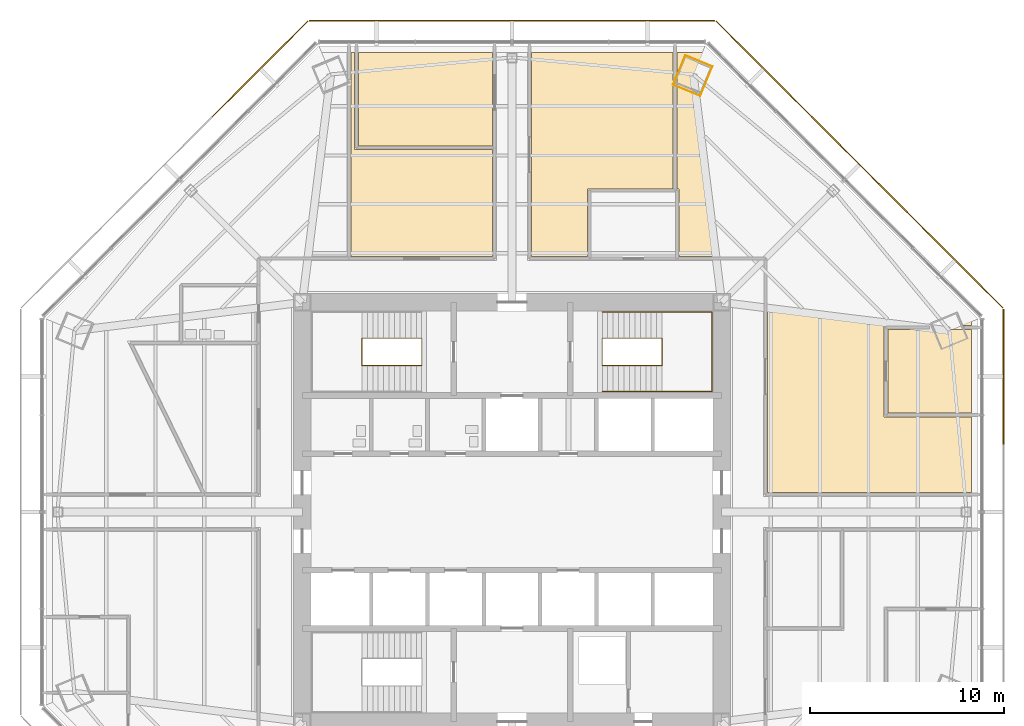
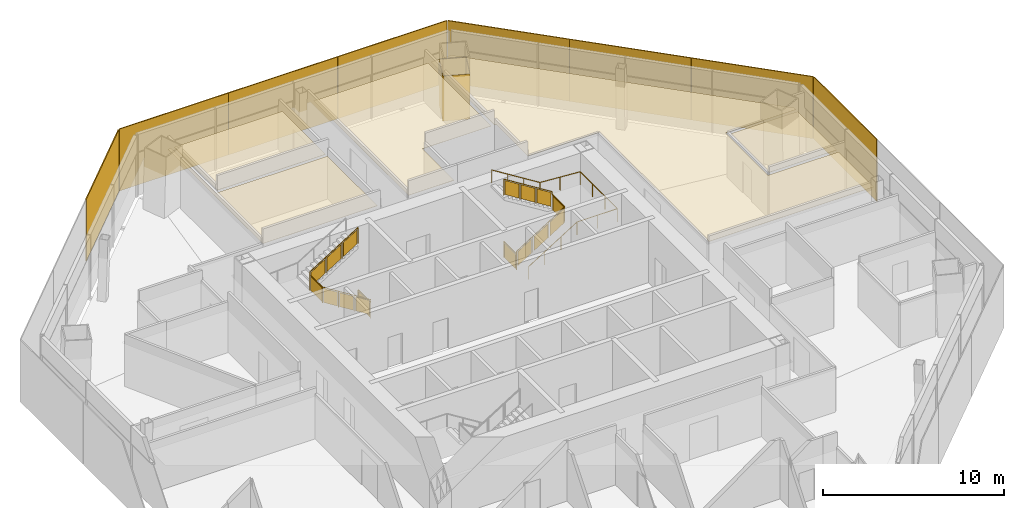
# One storey, part 13 of 14: 8 shading devices, 6 coverings, 3 railings.
"""IFC4 building model written with IfcOpenShell, lengths in metres."""

from ifc_helpers import new_model, si_unit, direction, frame, origin, origin_2d, place, context, subcontext, project, spatial, polyline, rectangle, circle, outline, extrude, source, transform, mapped, material, layer, layer_set, type_object, type_shapes, element, save


model = new_model("IFC4")

# Units and contexts
model_context = context("Model", 3, precision=1e-05, world=origin(), true_north=direction((0.0, 1.0)))
body_context = subcontext(model_context, "Body", "Model", "MODEL_VIEW")
ifc_project = project(units=[si_unit("LENGTHUNIT", "METRE"), si_unit("AREAUNIT", "SQUARE_METRE"), si_unit("VOLUMEUNIT", "CUBIC_METRE"), si_unit("PLANEANGLEUNIT", "RADIAN"), si_unit("MASSUNIT", "GRAM", prefix="KILO")], contexts=[model_context])

# Site, building, storey
site_placement = place(None, origin())
site = spatial("IfcSite", under=ifc_project, at=site_placement, CompositionType="ELEMENT")
building_placement = place(site_placement, origin())
building = spatial("IfcBuilding", under=site, at=building_placement, Name="Mashrafa Tower", CompositionType="ELEMENT")
storey_placement = place(building_placement, frame((0.0, 0.0, 134.39990234375)))
storey = spatial("IfcBuildingStorey", under=building, at=storey_placement, Name="L30", CompositionType="ELEMENT", Elevation=134.39990234375)

# Covering
ifc_material_1 = material(Name="Gypsum board")
ifc_layer_1 = layer(ifc_material_1, 0.014892578125)
ifc_layer_set_1 = layer_set([ifc_layer_1], Name="Column casing plasterboard 15")
covering_type_1 = type_object("IfcCoveringType", Name="Column casing plasterboard 15", PredefinedType="CLADDING", material=ifc_layer_set_1)
covering_1_placement = place(storey_placement, origin())
element("IfcCovering", 1, at=covering_1_placement, inside=storey, type_object=covering_type_1, Name="Column casing L30-001", PredefinedType="CLADDING", context=body_context, shape_type="SweptSolid", body=[
    extrude(outline(polyline([(8.28515625, 22.00146484375), (8.865234375, 23.401611328125), (8.920166015625, 23.534423828125), (10.333740234375, 22.948974609375), (9.753662109375, 21.548583984375), (9.69873046875, 21.416015625), (8.28515625, 22.00146484375)]), holes=[polyline([(9.739990234375, 21.55419921875), (10.314208984375, 22.940673828125), (8.92822265625, 23.514892578125), (8.879150390625, 23.39599609375), (8.3046875, 22.009521484375), (9.690673828125, 21.435546875), (9.739990234375, 21.55419921875)])]), origin(), (0.0, 0.0, 1.0), 3.0419921875),
])

# Railings
ifc_material_2 = material(Name="Steel guard with glass infill", Category="steel")
railing_type_1 = type_object("IfcRailingType", Name="Stair guard 1100", PredefinedType="GUARDRAIL", material=ifc_material_2)
railing_1_placement = place(storey_placement, frame((-4.64990234375, 8.949951171875, 0.0)))
element("IfcRailing", 2, at=railing_1_placement, inside=storey, type_object=railing_type_1, Name="Stair S1 guard L30", PredefinedType="GUARDRAIL", context=body_context, shape_type="SweptSolid", body=[
    extrude(circle(Radius=0.02392578125, at=origin_2d()), frame((0.0, 0.0, 1.076171875), z_axis=(0.0, -1.0, 0.0), x_axis=(1.0, 0.0, 0.0)), (0.0, 0.0, 1.0), 1.39990234375),
    extrude(circle(Radius=0.02392578125, at=origin_2d()), frame((0.0, -1.39990234375, 1.076171875), z_axis=(0.0, 0.0, 1.0), x_axis=(1.0, 0.0, 0.0)), (0.0, 0.0, 1.0), 0.175048828125),
    extrude(circle(Radius=0.02392578125, at=origin_2d()), frame((0.0, -1.39990234375, 1.2509765625), z_axis=(-0.847998304005, 0.0, 0.529998940003), x_axis=(0.0, -1.0, 0.0)), (0.0, 0.0, 1.0), 3.632080078125),
    extrude(circle(Radius=0.02392578125, at=origin_2d()), frame((-3.080078125, -1.39990234375, 3.17626953125), z_axis=(0.0, 1.0, 0.0), x_axis=(-1.0, 0.0, 0.0)), (0.0, 0.0, 1.0), 1.39990234375),
    extrude(circle(Radius=0.02392578125, at=origin_2d()), frame((-3.080078125, 0.0, 3.17626953125), z_axis=(0.0, 0.0, 1.0), x_axis=(1.0, 0.0, 0.0)), (0.0, 0.0, 1.0), 0.175048828125),
    extrude(circle(Radius=0.02392578125, at=origin_2d()), frame((-3.080078125, 0.0, 3.35107421875), z_axis=(0.847998304005, 0.0, 0.529998940003), x_axis=(0.0, 1.0, 0.0)), (0.0, 0.0, 1.0), 3.632080078125),
    extrude(circle(Radius=0.02099609375, at=origin_2d()), origin(), (0.0, 0.0, 1.0), 1.052001953125),
    extrude(circle(Radius=0.02099609375, at=origin_2d()), frame((0.0, -1.39990234375, 0.0)), (0.0, 0.0, 1.0), 1.052001953125),
    extrude(circle(Radius=0.02099609375, at=origin_2d()), frame((0.0, -1.39990234375, 0.175048828125)), (0.0, 0.0, 1.0), 1.052001953125),
    extrude(circle(Radius=0.02099609375, at=origin_2d()), frame((-1.026611328125, -1.39990234375, 0.816650390625)), (0.0, 0.0, 1.0), 1.052001953125),
    extrude(circle(Radius=0.02099609375, at=origin_2d()), frame((-2.053466796875, -1.39990234375, 1.45849609375)), (0.0, 0.0, 1.0), 1.052001953125),
    extrude(circle(Radius=0.02099609375, at=origin_2d()), frame((-3.080078125, -1.39990234375, 2.10009765625)), (0.0, 0.0, 1.0), 1.052001953125),
    extrude(circle(Radius=0.02099609375, at=origin_2d()), frame((-3.080078125, 0.0, 2.10009765625)), (0.0, 0.0, 1.0), 1.052001953125),
    extrude(circle(Radius=0.02099609375, at=origin_2d()), frame((-3.080078125, 0.0, 2.275146484375)), (0.0, 0.0, 1.0), 1.052001953125),
    extrude(circle(Radius=0.02099609375, at=origin_2d()), frame((-2.053466796875, 0.0, 2.916748046875)), (0.0, 0.0, 1.0), 1.052001953125),
    extrude(circle(Radius=0.02099609375, at=origin_2d()), frame((-1.026611328125, 0.0, 3.55859375)), (0.0, 0.0, 1.0), 1.052001953125),
    extrude(circle(Radius=0.02099609375, at=origin_2d()), frame((0.0, 0.0, 4.2001953125)), (0.0, 0.0, 1.0), 1.052001953125),
    extrude(outline(polyline([(0.071044921875, 0.050048828125), (1.328857421875, 0.050048828125), (1.328857421875, 1.001953125), (0.071044921875, 1.001953125), (0.071044921875, 0.050048828125)])), frame((-0.006103515625, 0.0, 0.0), z_axis=(-1.0, 0.0, 0.0), x_axis=(0.0, -1.0, 0.0)), (0.0, 0.0, 1.0), 0.011962890625),
    extrude(outline(polyline([(0.071044921875, 0.094482421875), (0.955810546875, 0.647216796875), (0.955810546875, 1.599365234375), (0.071044921875, 1.04638671875), (0.071044921875, 0.094482421875)])), frame((0.0, -1.393798828125, 0.175048828125), z_axis=(0.0, 1.0, 0.0), x_axis=(-1.0, 0.0, 0.0)), (0.0, 0.0, 1.0), 0.011962890625),
    extrude(outline(polyline([(1.09765625, 0.736083984375), (1.982421875, 1.2890625), (1.982421875, 2.240966796875), (1.09765625, 1.68798828125), (1.09765625, 0.736083984375)])), frame((0.0, -1.393798828125, 0.175048828125), z_axis=(0.0, 1.0, 0.0), x_axis=(-1.0, 0.0, 0.0)), (0.0, 0.0, 1.0), 0.011962890625),
    extrude(outline(polyline([(2.124267578125, 1.377685546875), (3.009033203125, 1.9306640625), (3.009033203125, 2.882568359375), (2.124267578125, 2.329833984375), (2.124267578125, 1.377685546875)])), frame((0.0, -1.393798828125, 0.175048828125), z_axis=(0.0, 1.0, 0.0), x_axis=(-1.0, 0.0, 0.0)), (0.0, 0.0, 1.0), 0.011962890625),
    extrude(outline(polyline([(0.071044921875, 0.050048828125), (1.328857421875, 0.050048828125), (1.328857421875, 1.001953125), (0.071044921875, 1.001953125), (0.071044921875, 0.050048828125)])), frame((-3.073974609375, -1.39990234375, 2.10009765625), z_axis=(1.0, 0.0, 0.0), x_axis=(0.0, 1.0, 0.0)), (0.0, 0.0, 1.0), 0.011962890625),
    extrude(outline(polyline([(0.071044921875, 0.094482421875), (0.955810546875, 0.647216796875), (0.955810546875, 1.599365234375), (0.071044921875, 1.04638671875), (0.071044921875, 0.094482421875)])), frame((-3.080078125, -0.006103515625, 2.275146484375), z_axis=(0.0, -1.0, 0.0), x_axis=(1.0, 0.0, 0.0)), (0.0, 0.0, 1.0), 0.011962890625),
    extrude(outline(polyline([(1.09765625, 0.736083984375), (1.982421875, 1.2890625), (1.982421875, 2.240966796875), (1.09765625, 1.68798828125), (1.09765625, 0.736083984375)])), frame((-3.080078125, -0.006103515625, 2.275146484375), z_axis=(0.0, -1.0, 0.0), x_axis=(1.0, 0.0, 0.0)), (0.0, 0.0, 1.0), 0.011962890625),
    extrude(outline(polyline([(2.124267578125, 1.377685546875), (3.009033203125, 1.9306640625), (3.009033203125, 2.882568359375), (2.124267578125, 2.329833984375), (2.124267578125, 1.377685546875)])), frame((-3.080078125, -0.006103515625, 2.275146484375), z_axis=(0.0, -1.0, 0.0), x_axis=(1.0, 0.0, 0.0)), (0.0, 0.0, 1.0), 0.011962890625),
])
railing_2_placement = place(storey_placement, frame((4.64990234375, 8.949951171875, 0.0)))
element("IfcRailing", 3, at=railing_2_placement, inside=storey, type_object=railing_type_1, Name="Stair S2 guard L30", PredefinedType="GUARDRAIL", context=body_context, shape_type="SweptSolid", body=[
    extrude(circle(Radius=0.02392578125, at=origin_2d()), frame((0.0, 0.0, 1.076171875), z_axis=(0.0, -1.0, 0.0), x_axis=(1.0, 0.0, 0.0)), (0.0, 0.0, 1.0), 1.39990234375),
    extrude(circle(Radius=0.02392578125, at=origin_2d()), frame((0.0, -1.39990234375, 1.076171875), z_axis=(0.0, 0.0, 1.0), x_axis=(1.0, 0.0, 0.0)), (0.0, 0.0, 1.0), 0.175048828125),
    extrude(circle(Radius=0.02392578125, at=origin_2d()), frame((0.0, -1.39990234375, 1.2509765625), z_axis=(0.847998304005, 0.0, 0.529998940003), x_axis=(0.0, 1.0, 0.0)), (0.0, 0.0, 1.0), 3.632080078125),
    extrude(circle(Radius=0.02392578125, at=origin_2d()), frame((3.080078125, -1.39990234375, 3.17626953125), z_axis=(0.0, 1.0, 0.0), x_axis=(-1.0, 0.0, 0.0)), (0.0, 0.0, 1.0), 1.39990234375),
    extrude(circle(Radius=0.02392578125, at=origin_2d()), frame((3.080078125, 0.0, 3.17626953125), z_axis=(0.0, 0.0, 1.0), x_axis=(1.0, 0.0, 0.0)), (0.0, 0.0, 1.0), 0.175048828125),
    extrude(circle(Radius=0.02392578125, at=origin_2d()), frame((3.080078125, 0.0, 3.35107421875), z_axis=(-0.847998304005, 0.0, 0.529998940003), x_axis=(0.0, -1.0, 0.0)), (0.0, 0.0, 1.0), 3.632080078125),
    extrude(circle(Radius=0.02099609375, at=origin_2d()), origin(), (0.0, 0.0, 1.0), 1.052001953125),
    extrude(circle(Radius=0.02099609375, at=origin_2d()), frame((0.0, -1.39990234375, 0.0)), (0.0, 0.0, 1.0), 1.052001953125),
    extrude(circle(Radius=0.02099609375, at=origin_2d()), frame((0.0, -1.39990234375, 0.175048828125)), (0.0, 0.0, 1.0), 1.052001953125),
    extrude(circle(Radius=0.02099609375, at=origin_2d()), frame((1.026611328125, -1.39990234375, 0.816650390625)), (0.0, 0.0, 1.0), 1.052001953125),
    extrude(circle(Radius=0.02099609375, at=origin_2d()), frame((2.053466796875, -1.39990234375, 1.45849609375)), (0.0, 0.0, 1.0), 1.052001953125),
    extrude(circle(Radius=0.02099609375, at=origin_2d()), frame((3.080078125, -1.39990234375, 2.10009765625)), (0.0, 0.0, 1.0), 1.052001953125),
    extrude(circle(Radius=0.02099609375, at=origin_2d()), frame((3.080078125, 0.0, 2.10009765625)), (0.0, 0.0, 1.0), 1.052001953125),
    extrude(circle(Radius=0.02099609375, at=origin_2d()), frame((3.080078125, 0.0, 2.275146484375)), (0.0, 0.0, 1.0), 1.052001953125),
    extrude(circle(Radius=0.02099609375, at=origin_2d()), frame((2.053466796875, 0.0, 2.916748046875)), (0.0, 0.0, 1.0), 1.052001953125),
    extrude(circle(Radius=0.02099609375, at=origin_2d()), frame((1.026611328125, 0.0, 3.55859375)), (0.0, 0.0, 1.0), 1.052001953125),
    extrude(circle(Radius=0.02099609375, at=origin_2d()), frame((0.0, 0.0, 4.2001953125)), (0.0, 0.0, 1.0), 1.052001953125),
    extrude(outline(polyline([(0.071044921875, 0.050048828125), (1.328857421875, 0.050048828125), (1.328857421875, 1.001953125), (0.071044921875, 1.001953125), (0.071044921875, 0.050048828125)])), frame((-0.006103515625, 0.0, 0.0), z_axis=(-1.0, 0.0, 0.0), x_axis=(0.0, -1.0, 0.0)), (0.0, 0.0, 1.0), 0.011962890625),
    extrude(outline(polyline([(0.071044921875, 0.094482421875), (0.955810546875, 0.647216796875), (0.955810546875, 1.599365234375), (0.071044921875, 1.04638671875), (0.071044921875, 0.094482421875)])), frame((0.0, -1.406005859375, 0.175048828125), z_axis=(0.0, -1.0, 0.0), x_axis=(1.0, 0.0, 0.0)), (0.0, 0.0, 1.0), 0.011962890625),
    extrude(outline(polyline([(1.09765625, 0.736083984375), (1.982421875, 1.2890625), (1.982421875, 2.240966796875), (1.09765625, 1.68798828125), (1.09765625, 0.736083984375)])), frame((0.0, -1.406005859375, 0.175048828125), z_axis=(0.0, -1.0, 0.0), x_axis=(1.0, 0.0, 0.0)), (0.0, 0.0, 1.0), 0.011962890625),
    extrude(outline(polyline([(2.124267578125, 1.377685546875), (3.009033203125, 1.9306640625), (3.009033203125, 2.882568359375), (2.124267578125, 2.329833984375), (2.124267578125, 1.377685546875)])), frame((0.0, -1.406005859375, 0.175048828125), z_axis=(0.0, -1.0, 0.0), x_axis=(1.0, 0.0, 0.0)), (0.0, 0.0, 1.0), 0.011962890625),
    extrude(outline(polyline([(0.071044921875, 0.050048828125), (1.328857421875, 0.050048828125), (1.328857421875, 1.001953125), (0.071044921875, 1.001953125), (0.071044921875, 0.050048828125)])), frame((3.086181640625, -1.39990234375, 2.10009765625), z_axis=(1.0, 0.0, 0.0), x_axis=(0.0, 1.0, 0.0)), (0.0, 0.0, 1.0), 0.011962890625),
    extrude(outline(polyline([(0.071044921875, 0.094482421875), (0.955810546875, 0.647216796875), (0.955810546875, 1.599365234375), (0.071044921875, 1.04638671875), (0.071044921875, 0.094482421875)])), frame((3.080078125, 0.006103515625, 2.275146484375), z_axis=(0.0, 1.0, 0.0), x_axis=(-1.0, 0.0, 0.0)), (0.0, 0.0, 1.0), 0.011962890625),
    extrude(outline(polyline([(1.09765625, 0.736083984375), (1.982421875, 1.2890625), (1.982421875, 2.240966796875), (1.09765625, 1.68798828125), (1.09765625, 0.736083984375)])), frame((3.080078125, 0.006103515625, 2.275146484375), z_axis=(0.0, 1.0, 0.0), x_axis=(-1.0, 0.0, 0.0)), (0.0, 0.0, 1.0), 0.011962890625),
    extrude(outline(polyline([(2.124267578125, 1.377685546875), (3.009033203125, 1.9306640625), (3.009033203125, 2.882568359375), (2.124267578125, 2.329833984375), (2.124267578125, 1.377685546875)])), frame((3.080078125, 0.006103515625, 2.275146484375), z_axis=(0.0, 1.0, 0.0), x_axis=(-1.0, 0.0, 0.0)), (0.0, 0.0, 1.0), 0.011962890625),
])
ifc_material_3 = material(Name="Steel", Category="steel")
railing_type_2 = type_object("IfcRailingType", Name="Stair handrail 900", PredefinedType="HANDRAIL", material=ifc_material_3)
railing_3_placement = place(storey_placement, frame((4.64990234375, 6.199951171875, 0.175048828125)))
element("IfcRailing", 4, at=railing_3_placement, inside=storey, type_object=railing_type_2, Name="Stair S2 handrail L30", PredefinedType="HANDRAIL", context=body_context, shape_type="SweptSolid", body=[
    extrude(circle(Radius=0.02392578125, at=origin_2d()), frame((0.0, 0.0, 0.8759765625), z_axis=(0.847998304005, 0.0, 0.529998940003), x_axis=(0.0, 1.0, 0.0)), (0.0, 0.0, 1.0), 3.632080078125),
    extrude(circle(Radius=0.02392578125, at=origin_2d()), frame((3.080078125, 0.0, 2.80078125), z_axis=(1.0, 0.0, 0.0), x_axis=(0.0, 1.0, 0.0)), (0.0, 0.0, 1.0), 2.570068359375),
    extrude(circle(Radius=0.02392578125, at=origin_2d()), frame((5.650146484375, 0.0, 2.80078125), z_axis=(0.0, 1.0, 0.0), x_axis=(-1.0, 0.0, 0.0)), (0.0, 0.0, 1.0), 4.10009765625),
    extrude(circle(Radius=0.02392578125, at=origin_2d()), frame((5.650146484375, 4.10009765625, 2.80078125), z_axis=(-0.997688514158, 0.0, 0.067953136188), x_axis=(0.0, -1.0, 0.0)), (0.0, 0.0, 1.0), 2.575927734375),
    extrude(circle(Radius=0.02392578125, at=origin_2d()), frame((3.080078125, 4.10009765625, 2.97607421875), z_axis=(-0.847998304005, 0.0, 0.529998940003), x_axis=(0.0, -1.0, 0.0)), (0.0, 0.0, 1.0), 3.632080078125),
    extrude(circle(Radius=0.02099609375, at=origin_2d()), origin(), (0.0, 0.0, 1.0), 0.851806640625),
    extrude(circle(Radius=0.02099609375, at=origin_2d()), frame((1.026611328125, 0.0, 0.6416015625)), (0.0, 0.0, 1.0), 0.851806640625),
    extrude(circle(Radius=0.02099609375, at=origin_2d()), frame((2.053466796875, 0.0, 1.283447265625)), (0.0, 0.0, 1.0), 0.851806640625),
    extrude(circle(Radius=0.02099609375, at=origin_2d()), frame((3.080078125, 0.0, 1.925048828125)), (0.0, 0.0, 1.0), 0.851806640625),
    extrude(circle(Radius=0.02099609375, at=origin_2d()), frame((4.365234375, 0.0, 1.925048828125)), (0.0, 0.0, 1.0), 0.851806640625),
    extrude(circle(Radius=0.02099609375, at=origin_2d()), frame((5.650146484375, 0.0, 1.925048828125)), (0.0, 0.0, 1.0), 0.851806640625),
    extrude(circle(Radius=0.02099609375, at=origin_2d()), frame((5.650146484375, 1.36669921875, 1.925048828125)), (0.0, 0.0, 1.0), 0.851806640625),
    extrude(circle(Radius=0.02099609375, at=origin_2d()), frame((5.650146484375, 2.7333984375, 1.925048828125)), (0.0, 0.0, 1.0), 0.851806640625),
    extrude(circle(Radius=0.02099609375, at=origin_2d()), frame((5.650146484375, 4.10009765625, 1.925048828125)), (0.0, 0.0, 1.0), 0.851806640625),
    extrude(circle(Radius=0.02099609375, at=origin_2d()), frame((4.365234375, 4.10009765625, 2.0126953125)), (0.0, 0.0, 1.0), 0.851806640625),
    extrude(circle(Radius=0.02099609375, at=origin_2d()), frame((3.080078125, 4.10009765625, 2.10009765625)), (0.0, 0.0, 1.0), 0.851806640625),
    extrude(circle(Radius=0.02099609375, at=origin_2d()), frame((2.053466796875, 4.10009765625, 2.74169921875)), (0.0, 0.0, 1.0), 0.851806640625),
    extrude(circle(Radius=0.02099609375, at=origin_2d()), frame((1.026611328125, 4.10009765625, 3.383544921875)), (0.0, 0.0, 1.0), 0.851806640625),
    extrude(circle(Radius=0.02099609375, at=origin_2d()), frame((0.0, 4.10009765625, 4.025146484375)), (0.0, 0.0, 1.0), 0.851806640625),
])

# Coverings
ifc_material_4 = material(Name="Mineral fibre tile on suspension grid")
ifc_layer_2 = layer(ifc_material_4, 0.014892578125)
ifc_layer_set_2 = layer_set([ifc_layer_2], Name="Suspended ceiling mineral tile 15")
covering_type_2 = type_object("IfcCoveringType", Name="Suspended ceiling mineral tile 15", PredefinedType="CEILING", material=ifc_layer_set_2)
covering_2_placement = place(storey_placement, frame((0.0, 0.0, 2.900146484375)))
element("IfcCovering", 5, at=covering_2_placement, inside=storey, type_object=covering_type_2, Name="Ceiling Board Room 30-N", PredefinedType="CEILING", context=body_context, shape_type="SweptSolid", body=[
    extrude(outline(polyline([(-7.89990234375, 23.66259765625), (-1.0, 23.66259765625), (-1.0, 18.86279296875), (-7.89990234375, 18.86279296875), (-7.89990234375, 23.66259765625)])), origin(), (0.0, 0.0, 1.0), 0.014892578125),
])
covering_3_placement = place(storey_placement, frame((0.0, 0.0, 2.900146484375)))
element("IfcCovering", 6, at=covering_3_placement, inside=storey, type_object=covering_type_2, Name="Ceiling Meeting Room 30-N-NE1", PredefinedType="CEILING", context=body_context, shape_type="SweptSolid", body=[
    extrude(outline(polyline([(19.36279296875, 9.39990234375), (23.66259765625, 9.39990234375), (23.66259765625, 5.10009765625), (19.36279296875, 5.10009765625), (19.36279296875, 9.39990234375)])), origin(), (0.0, 0.0, 1.0), 0.014892578125),
])
covering_4_placement = place(storey_placement, frame((0.0, 0.0, 2.900146484375)))
element("IfcCovering", 7, at=covering_4_placement, inside=storey, type_object=covering_type_2, Name="Ceiling Office Tenancy 30-N-NE1", PredefinedType="CEILING", context=body_context, shape_type="SweptSolid", body=[
    extrude(outline(polyline([(8.5, 16.64990234375), (8.5, 23.66259765625), (9.801513671875, 23.66259765625), (23.66259765625, 9.801513671875), (23.66259765625, 9.60009765625), (19.16259765625, 9.60009765625), (19.16259765625, 4.89990234375), (23.66259765625, 4.89990234375), (23.66259765625, 1.0), (13.14990234375, 1.0), (13.14990234375, 13.14990234375), (8.60009765625, 13.14990234375), (8.60009765625, 16.64990234375), (8.5, 16.64990234375)])), origin(), (0.0, 0.0, 1.0), 0.014892578125),
])
covering_5_placement = place(storey_placement, frame((0.0, 0.0, 2.900146484375)))
element("IfcCovering", 8, at=covering_5_placement, inside=storey, type_object=covering_type_2, Name="Ceiling Office Tenancy 30-N-NE2", PredefinedType="CEILING", context=body_context, shape_type="SweptSolid", body=[
    extrude(outline(polyline([(1.0, 23.66259765625), (8.300048828125, 23.66259765625), (8.300048828125, 16.64990234375), (3.89990234375, 16.64990234375), (3.89990234375, 13.14990234375), (1.0, 13.14990234375), (1.0, 23.66259765625)])), origin(), (0.0, 0.0, 1.0), 0.014892578125),
])
covering_6_placement = place(storey_placement, frame((0.0, 0.0, 2.900146484375)))
element("IfcCovering", 9, at=covering_6_placement, inside=storey, type_object=covering_type_2, Name="Ceiling Office Tenancy 30-N-NW2", PredefinedType="CEILING", context=body_context, shape_type="SweptSolid", body=[
    extrude(outline(polyline([(-8.300048828125, 13.14990234375), (-8.300048828125, 23.66259765625), (-8.10009765625, 23.66259765625), (-8.10009765625, 18.66259765625), (-1.0, 18.66259765625), (-1.0, 13.14990234375), (-8.300048828125, 13.14990234375)])), origin(), (0.0, 0.0, 1.0), 0.014892578125),
])

# Shading devices
ifc_material_5 = material(Name="Perforated aluminium plate, eight-point star pattern", Category="aluminium")
ifc_layer_3 = layer(ifc_material_5, 0.06005859375)
ifc_layer_set_3 = layer_set([ifc_layer_3], Name="Mashrabiya screen panel office zone 2, 40 percent open")
shading_device_type = type_object("IfcShadingDeviceType", Name="Mashrabiya screen panel office zone 2, 40 percent open", PredefinedType="SHUTTER", material=ifc_layer_set_3)
shared_shape = source(origin(), body_context, "Body", "SweptSolid", [
    extrude(rectangle(XDim=6.955078125, YDim=0.06005859375, at=origin_2d()), origin(), (0.0, 0.0, 1.0), 4.179931640625),
])
type_shapes(shading_device_type, [shared_shape])
for number, where, z_axis, x_axis, name in (
    (10, (25.312744140625, 6.974853515625, -0.14990234375), (0.0, 0.0, 1.0), (0.0, 1.0, 0.0), "Mashrabiya screen L30 east 3"),
    (11, (22.830810546875, 12.966796875, -0.14990234375), (0.0, 0.0, 1.0), (-0.707106781187, 0.707106781187, 0.0), "Mashrabiya screen L30 north-east 1"),
    (12, (17.898681640625, 17.898681640625, -0.14990234375), (0.0, 0.0, 1.0), (-0.707106781187, 0.707106781187, 0.0), "Mashrabiya screen L30 north-east 2"),
    (13, (12.966796875, 22.830810546875, -0.14990234375), (0.0, 0.0, 1.0), (-0.707106781187, 0.707106781187, 0.0), "Mashrabiya screen L30 north-east 3"),
    (14, (6.974853515625, 25.312744140625, -0.14990234375), (0.0, 0.0, 1.0), (-1.0, 0.0, 0.0), "Mashrabiya screen L30 north 1"),
    (15, (0.0, 25.312744140625, -0.14990234375), (0.0, 0.0, 1.0), (-1.0, 0.0, 0.0), "Mashrabiya screen L30 north 2"),
    (16, (-6.974853515625, 25.312744140625, -0.14990234375), (0.0, 0.0, 1.0), (-1.0, 0.0, 0.0), "Mashrabiya screen L30 north 3"),
    (17, (-12.966796875, 22.830810546875, -0.14990234375), (0.0, 0.0, 1.0), (-0.707106781187, -0.707106781187, 0.0), "Mashrabiya screen L30 north-west 1"),
):
    element("IfcShadingDevice", number, at=place(storey_placement, frame(where, z_axis=z_axis, x_axis=x_axis)), inside=storey, type_object=shading_device_type, Name=name, PredefinedType="SHUTTER", context=body_context, shape_type="MappedRepresentation", body=[
        mapped(shared_shape, transform((0.0, 0.0, 0.0))),
    ])

save(model, "model.ifc")
